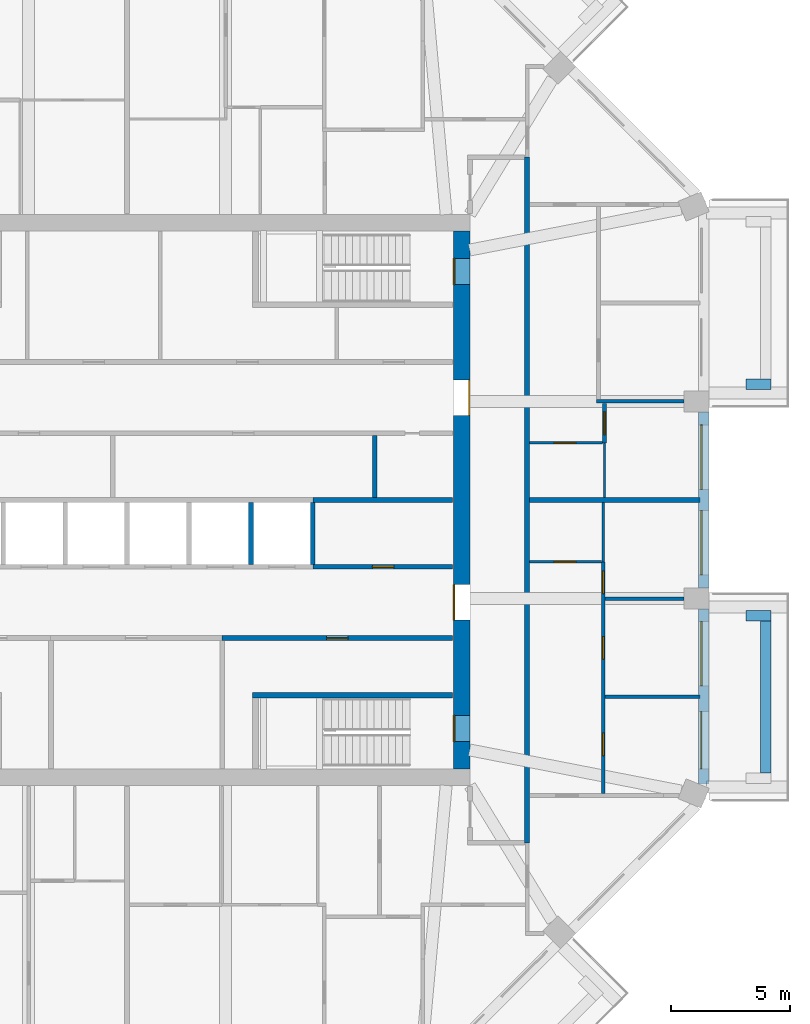
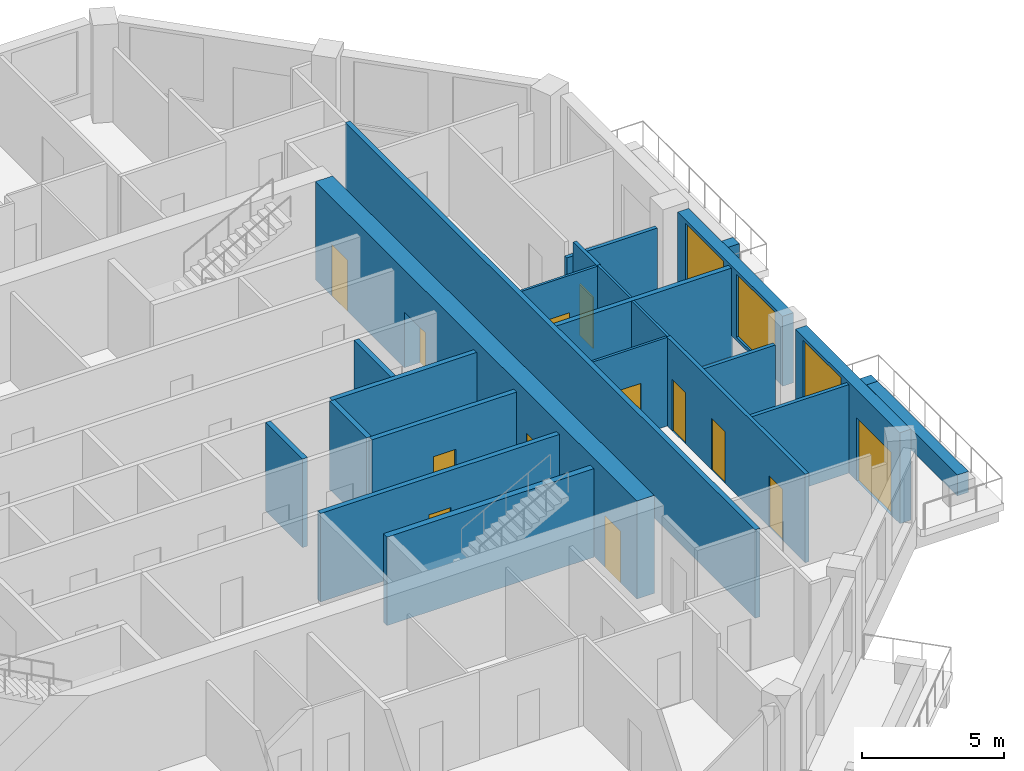
# One storey, part 6 of 12: 24 walls, 13 doors, 3 windows, 16 openings.
"""IFC4 building model written with IfcOpenShell, lengths in metres."""

import ifcopenshell
import ifcopenshell.guid

model = None  # the IFC model being written
_history = None  # IfcOwnerHistory: only IFC2X3 demands one
_inside = {}  # id of a spatial element -> (the spatial element, [elements in it])
_under = {}  # id of a project, library or spatial element -> (it, [spatial elements below it])
_declared = {}  # id of a project -> (the project, [libraries it declares])
_typed = {}  # id of a type object -> (the type object, [elements of that type])
_made_of = {}  # id of a material, layer set ... -> (it, [elements and type objects made of it])


def new_model(schema):
    """Start an empty IFC model of exactly this schema.

    Asked for "IFC4X3", IfcOpenShell would pick the latest addendum, in which some entities
    have other attributes; the version numbers below select the first issue.
    IFC2X3 requires an IfcOwnerHistory on every rooted entity: one is made here for all.
    """
    global model, _history
    if schema == "IFC4X3":
        model = ifcopenshell.file(schema_version=(4, 3, 0, 0))
    else:
        model = ifcopenshell.file(schema=schema)
    _inside.clear()
    _under.clear()
    _declared.clear()
    _typed.clear()
    _made_of.clear()
    _history = None
    if model.schema == "IFC2X3":
        org = make("IfcOrganization", Name="unknown")
        user = make(
            "IfcPersonAndOrganization",
            ThePerson=make("IfcPerson", FamilyName="unknown"),
            TheOrganization=org,
        )
        app = make(
            "IfcApplication",
            ApplicationDeveloper=org,
            Version="unknown",
            ApplicationFullName="unknown",
            ApplicationIdentifier="unknown",
        )
        _history = make(
            "IfcOwnerHistory",
            OwningUser=user,
            OwningApplication=app,
            ChangeAction="ADDED",
            CreationDate=0,
        )
    return model


def make(cls, **values):
    """One entity of the class cls with the attributes given. An attribute that is None is left unset."""
    return model.create_entity(
        cls, **{name: value for name, value in values.items() if value is not None}
    )


def rooted(cls, **values):
    """An entity with a GlobalId (a new one), such as an element, a storey or a relation."""
    return make(cls, GlobalId=ifcopenshell.guid.new(), OwnerHistory=_history, **values)


def si_unit(unit_type, name, prefix=None):
    """IfcSIUnit, for example si_unit("LENGTHUNIT", "METRE", prefix="MILLI")."""
    return make("IfcSIUnit", UnitType=unit_type, Prefix=prefix, Name=name)


def assignment(units):
    """IfcUnitAssignment: the units of a project."""
    return None if units is None else make("IfcUnitAssignment", Units=units)


def point(xyz):
    """IfcCartesianPoint."""
    return None if xyz is None else make("IfcCartesianPoint", Coordinates=xyz)


def direction(xyz):
    """IfcDirection."""
    return None if xyz is None else make("IfcDirection", DirectionRatios=xyz)


def frame(location, z_axis=None, x_axis=None):
    """IfcAxis2Placement3D, a coordinate frame: its origin and axes. An axis left out is left unset."""
    return make(
        "IfcAxis2Placement3D",
        Location=point(location),
        Axis=direction(z_axis),
        RefDirection=direction(x_axis),
    )


def frame_2d(location, x_axis=None):
    """IfcAxis2Placement2D, a coordinate frame in the plane: its origin and x axis."""
    return make(
        "IfcAxis2Placement2D", Location=point(location), RefDirection=direction(x_axis)
    )


def origin():
    """The frame at (0, 0, 0) with its axes left unset."""
    return frame((0.0, 0.0, 0.0))


def place(relative_to, where):
    """IfcLocalPlacement: puts the frame where relative to a parent placement (None: the world)."""
    return make(
        "IfcLocalPlacement", PlacementRelTo=relative_to, RelativePlacement=where
    )


def context(
    kind, dimensions, precision=None, world=None, true_north=None, identifier=None
):
    """IfcGeometricRepresentationContext, for example the 3D "Model" context."""
    return make(
        "IfcGeometricRepresentationContext",
        ContextIdentifier=identifier,
        ContextType=kind,
        CoordinateSpaceDimension=dimensions,
        Precision=precision,
        WorldCoordinateSystem=world,
        TrueNorth=true_north,
    )


def subcontext(parent, identifier, kind, view, scale=None):
    """IfcGeometricRepresentationSubContext, for example "Body" below "Model"."""
    return make(
        "IfcGeometricRepresentationSubContext",
        ContextIdentifier=identifier,
        ContextType=kind,
        ParentContext=parent,
        TargetScale=scale,
        TargetView=view,
    )


def project(units=None, contexts=None):
    """IfcProject with its units and contexts."""
    return rooted(
        "IfcProject",
        Name="project",
        RepresentationContexts=contexts,
        UnitsInContext=assignment(units),
    )


def spatial(cls, under=None, at=None, **own):
    """A site, building, storey or space (cls), placed at a placement, below another one or the project."""
    s = rooted(cls, ObjectPlacement=at, **own)
    if under is not None:
        _under.setdefault(under.id(), (under, []))[1].append(s)
    return s


def profile(cls, at=None, kind="AREA", **sizes):
    """A parametric profile (cls). Its sizes go by their IFC names, for example OverallWidth=200.0."""
    return make(cls, ProfileType=kind, Position=at, **sizes)


def rectangle(**sizes):
    """IfcRectangleProfileDef."""
    return profile("IfcRectangleProfileDef", **sizes)


def extrude(swept, where, along, depth):
    """IfcExtrudedAreaSolid: the profile swept, set in the frame where, extruded along a direction by depth."""
    return make(
        "IfcExtrudedAreaSolid",
        SweptArea=swept,
        Position=where,
        ExtrudedDirection=direction(along),
        Depth=depth,
    )


def shape(context_of_items, identifier, shape_type, items):
    """IfcShapeRepresentation: the items that make up one representation, for example the "Body"."""
    return make(
        "IfcShapeRepresentation",
        ContextOfItems=context_of_items,
        RepresentationIdentifier=identifier,
        RepresentationType=shape_type,
        Items=items,
    )


def material(Name=None, Category=None):
    """IfcMaterial."""
    return make("IfcMaterial", Name=Name, Category=Category)


def layer(
    of_material, thickness, ventilated=None, Name=None, Category=None, Priority=None
):
    """IfcMaterialLayer: one layer of a wall or slab, of a material (None: an air gap)."""
    return make(
        "IfcMaterialLayer",
        Material=of_material,
        LayerThickness=thickness,
        IsVentilated=ventilated,
        Name=Name,
        Category=Category,
        Priority=Priority,
    )


def layer_set(layers, Name=None):
    """IfcMaterialLayerSet."""
    return make("IfcMaterialLayerSet", MaterialLayers=layers, LayerSetName=Name)


def made_of(thing, what):
    """Note that an element or type object is made of a material, layer set ...; save() writes the relation."""
    if what is not None:
        _made_of.setdefault(what.id(), (what, []))[1].append(thing)
    return thing


def type_object(cls, material=None, **own):
    """A type object (cls), such as IfcWallType, which elements share."""
    return made_of(rooted(cls, **own), material)


def element(
    cls,
    number,
    at=None,
    inside=None,
    cuts=None,
    type_object=None,
    material=None,
    context=None,
    identifier="Body",
    shape_type=None,
    held_by="IfcProductDefinitionShape",
    body=None,
    shapes=None,
    **own,
):
    """One element of the class cls, such as IfcWall. Its Tag is "e" and its number.

    at: its placement. inside: the storey or other place that contains it. cuts: it is an
    opening in that element (IfcRelVoidsElement). A single representation is given by context,
    identifier, shape_type and body (its items); several are given by shapes. held_by: the class
    of the entity that holds the representations. save() writes the other relations.
    """
    e = rooted(cls, Tag="e%d" % number, ObjectPlacement=at, **own)
    if body is not None:
        shapes = [shape(context, identifier, shape_type, body)]
    if shapes is not None:
        e.Representation = make(held_by, Representations=shapes)
    if inside is not None:
        _inside.setdefault(inside.id(), (inside, []))[1].append(e)
    if cuts is not None:
        rooted(
            "IfcRelVoidsElement", RelatingBuildingElement=cuts, RelatedOpeningElement=e
        )
    if type_object is not None:
        _typed.setdefault(type_object.id(), (type_object, []))[1].append(e)
    return made_of(e, material)


def fill(opening, filler):
    """IfcRelFillsElement: the door or window that sits in an opening."""
    return rooted(
        "IfcRelFillsElement",
        RelatingOpeningElement=opening,
        RelatedBuildingElement=filler,
    )


def aggregate(whole, parts):
    """IfcRelAggregates: a whole, such as a stair, and the parts it consists of."""
    return rooted("IfcRelAggregates", RelatingObject=whole, RelatedObjects=parts)


def save(model, path):
    """Write the relations noted so far, then the file.

    IfcRelAggregates (storeys below a building ...), IfcRelContainedInSpatialStructure (elements
    in a storey), IfcRelDefinesByType, IfcRelAssociatesMaterial and IfcRelDeclares: one each for
    every whole, place, type object, material and project.
    """
    for whole, parts in _under.values():
        aggregate(whole, parts)
    for where, things in _inside.values():
        rooted(
            "IfcRelContainedInSpatialStructure",
            RelatedElements=things,
            RelatingStructure=where,
        )
    for kind, things in _typed.values():
        rooted("IfcRelDefinesByType", RelatedObjects=things, RelatingType=kind)
    for what, things in _made_of.values():
        rooted("IfcRelAssociatesMaterial", RelatedObjects=things, RelatingMaterial=what)
    for by, libraries in _declared.values():
        rooted("IfcRelDeclares", RelatingContext=by, RelatedDefinitions=libraries)
    model.write(path)


model = new_model("IFC4")

# Units and contexts
model_context = context("Model", 3, precision=1e-05, world=origin(), true_north=direction((0.0, 1.0)))
body_context = subcontext(model_context, "Body", "Model", "MODEL_VIEW")
ifc_project = project(units=[si_unit("LENGTHUNIT", "METRE"), si_unit("AREAUNIT", "SQUARE_METRE"), si_unit("VOLUMEUNIT", "CUBIC_METRE"), si_unit("PLANEANGLEUNIT", "RADIAN"), si_unit("MASSUNIT", "GRAM", prefix="KILO")], contexts=[model_context])

# Site, building, storey
site_placement = place(None, origin())
site = spatial("IfcSite", under=ifc_project, at=site_placement, CompositionType="ELEMENT")
building_placement = place(site_placement, origin())
building = spatial("IfcBuilding", under=site, at=building_placement, Name="Msitu Wima Residences", CompositionType="ELEMENT")
storey_placement = place(building_placement, frame((0.0, 0.0, 204.300048828125)))
storey = spatial("IfcBuildingStorey", under=building, at=storey_placement, Name="L47", CompositionType="ELEMENT", Elevation=204.300048828125)

# Walls
ifc_material_1 = material(Name="Facing brick")
ifc_layer_1 = layer(ifc_material_1, 0.06494140625, Name="Facing brick")
ifc_material_2 = material(Name="Concrete C40/50", Category="concrete")
ifc_layer_2 = layer(ifc_material_2, 0.156005859375, Name="Concrete C40/50")
ifc_material_3 = material(Name="Waterproofing membrane")
ifc_layer_3 = layer(ifc_material_3, 0.00390625, Name="Waterproofing membrane")
ifc_material_4 = material(Name="Planting soil and planting")
ifc_layer_4 = layer(ifc_material_4, 0.22509765625, Name="Planting soil and planting")
ifc_layer_set_1 = layer_set([ifc_layer_1, ifc_layer_2, ifc_layer_3, ifc_layer_4], Name="Concrete C40/50")
wall_type_1 = type_object("IfcWallType", Name="Balcony planter PLANTER PL450", PredefinedType="USERDEFINED", material=ifc_layer_set_1)
wall_1_placement = place(storey_placement, frame((26.824951171875, -11.461669921875, 0.0), z_axis=(0.0, 0.0, 1.0), x_axis=(0.0, 1.0, 0.0)))
element("IfcWall", 1, at=wall_1_placement, inside=storey, type_object=wall_type_1, Name="Balcony planter E0 L47", ObjectType="PLANTER", PredefinedType="USERDEFINED", context=body_context, shape_type="SweptSolid", body=[
    extrude(rectangle(XDim=6.37451171875, YDim=0.449951171875, at=frame_2d((3.187255859375, 0.0))), origin(), (0.0, 0.0, 1.0), 0.89990234375),
])
for number, where, z_axis, x_axis, name in (
    (2, (26.0, -4.8623046875, 0.0), (0.0, 0.0, 1.0), (1.0, 0.0, 0.0), "Balcony planter E0 L47"),
    (3, (26.0, 4.8623046875, 0.0), (0.0, 0.0, 1.0), (1.0, 0.0, 0.0), "Balcony planter E2 L47"),
):
    element("IfcWall", number, at=place(storey_placement, frame(where, z_axis=z_axis, x_axis=x_axis)), inside=storey, type_object=wall_type_1, Name=name, ObjectType="PLANTER", PredefinedType="USERDEFINED", context=body_context, shape_type="SweptSolid", body=[
        extrude(rectangle(XDim=1.050048828125, YDim=0.449951171875, at=frame_2d((0.52490234375, 0.0))), origin(), (0.0, 0.0, 1.0), 0.89990234375),
    ])

# Wall, openings, door, window
ifc_material_5 = material(Name="Brick (red buff mix)", Category="masonry")
ifc_layer_5 = layer(ifc_material_5, 0.449951171875)
ifc_layer_set_2 = layer_set([ifc_layer_5], Name="Brick (red buff mix)")
wall_type_2 = type_object("IfcWallType", Name="Brick infill wall BW450", PredefinedType="SOLIDWALL", material=ifc_layer_set_2)
wall_2_placement = place(storey_placement, frame((24.22509765625, -11.9248046875, 0.0), z_axis=(0.0, 0.0, 1.0), x_axis=(0.0, 1.0, 0.0)))
wall_2 = element("IfcWall", 4, at=wall_2_placement, inside=storey, type_object=wall_type_2, Name="Brick infill wall L47 E0", PredefinedType="SOLIDWALL", context=body_context, shape_type="SweptSolid", body=[
    extrude(rectangle(XDim=7.337646484375, YDim=0.449951171875, at=frame_2d((3.6689453125, 0.0))), origin(), (0.0, 0.0, 1.0), 3.89990234375),
])
opening_1_placement = place(wall_2_placement, frame((0.63427734375, 0.0, 0.0)))
opening_1 = element("IfcOpeningElement", 5, at=opening_1_placement, cuts=wall_2, Name="Opening D47.001", PredefinedType="OPENING", context=body_context, shape_type="SweptSolid", body=[
    extrude(rectangle(XDim=2.39990234375, YDim=2.699951171875, at=frame_2d((1.199951171875, 1.35009765625))), frame((0.0, 0.23486328125, 0.0), z_axis=(0.0, -1.0, 0.0), x_axis=(1.0, 0.0, 0.0)), (0.0, 0.0, 1.0), 0.469970703125),
])
opening_2_placement = place(wall_2_placement, frame((4.11865234375, 0.0, 1.050048828125)))
opening_2 = element("IfcOpeningElement", 6, at=opening_2_placement, cuts=wall_2, Name="Opening W47.001", PredefinedType="OPENING", context=body_context, shape_type="SweptSolid", body=[
    extrude(rectangle(XDim=2.699951171875, YDim=2.699951171875, at=frame_2d((1.35009765625, 1.35009765625))), frame((0.0, 0.23486328125, 0.0), z_axis=(0.0, -1.0, 0.0), x_axis=(1.0, 0.0, 0.0)), (0.0, 0.0, 1.0), 0.469970703125),
])
ifc_material_6 = material(Name="Anodised aluminium, bronze finish, clear low-emissivity double glazing", Category="aluminium")
door_type_1 = type_object("IfcDoorType", Name="Balcony door D2400x2700", OperationType="SLIDING_TO_LEFT", PredefinedType="DOOR", material=ifc_material_6)
door_1_placement = place(opening_1_placement, origin())
door_1 = element("IfcDoor", 7, at=door_1_placement, inside=storey, type_object=door_type_1, Name="Balcony door L47 E0", OperationType="SINGLE_SWING_LEFT", OverallHeight=2.699951171875, OverallWidth=2.39990234375, PredefinedType="DOOR", context=body_context, shape_type="SweptSolid", body=[
    extrude(rectangle(XDim=2.39990234375, YDim=2.699951171875, at=frame_2d((1.199951171875, 1.35009765625))), frame((0.0, 0.1298828125, 0.0), z_axis=(0.0, -1.0, 0.0), x_axis=(1.0, 0.0, 0.0)), (0.0, 0.0, 1.0), 0.050048828125),
])
fill(opening_1, door_1)
window_type = type_object("IfcWindowType", Name="Window W2700x2700", PartitioningType="DOUBLE_PANEL_VERTICAL", PredefinedType="WINDOW", material=ifc_material_6)
window_1_placement = place(opening_2_placement, origin())
window_1 = element("IfcWindow", 8, at=window_1_placement, inside=storey, type_object=window_type, Name="Window L47 E0.2", OverallHeight=2.699951171875, OverallWidth=2.699951171875, PartitioningType="SINGLE_PANEL", PredefinedType="WINDOW", context=body_context, shape_type="SweptSolid", body=[
    extrude(rectangle(XDim=2.699951171875, YDim=2.699951171875, at=frame_2d((1.35009765625, 1.35009765625))), frame((0.0, 0.135009765625, 0.0), z_axis=(0.0, -1.0, 0.0), x_axis=(1.0, 0.0, 0.0)), (0.0, 0.0, 1.0), 0.06005859375),
])
fill(opening_2, window_1)

# Wall, openings, windows
wall_3_placement = place(storey_placement, frame((24.22509765625, -3.687255859375, 0.89990234375), z_axis=(0.0, 0.0, 1.0), x_axis=(0.0, 1.0, 0.0)))
wall_3 = element("IfcWall", 9, at=wall_3_placement, inside=storey, type_object=wall_type_2, Name="Brick infill wall L47 E1", PredefinedType="SOLIDWALL", context=body_context, shape_type="SweptSolid", body=[
    extrude(rectangle(XDim=7.37451171875, YDim=0.449951171875, at=frame_2d((3.687255859375, 0.0))), origin(), (0.0, 0.0, 1.0), 3.0),
])
opening_3_placement = place(wall_3_placement, frame((0.537353515625, 0.0, 0.14990234375)))
opening_3 = element("IfcOpeningElement", 10, at=opening_3_placement, cuts=wall_3, Name="Opening W47.002", PredefinedType="OPENING", context=body_context, shape_type="SweptSolid", body=[
    extrude(rectangle(XDim=2.699951171875, YDim=2.699951171875, at=frame_2d((1.35009765625, 1.35009765625))), frame((0.0, 0.23486328125, 0.0), z_axis=(0.0, -1.0, 0.0), x_axis=(1.0, 0.0, 0.0)), (0.0, 0.0, 1.0), 0.469970703125),
])
opening_4_placement = place(wall_3_placement, frame((4.13720703125, 0.0, 0.14990234375)))
opening_4 = element("IfcOpeningElement", 11, at=opening_4_placement, cuts=wall_3, Name="Opening W47.003", PredefinedType="OPENING", context=body_context, shape_type="SweptSolid", body=[
    extrude(rectangle(XDim=2.699951171875, YDim=2.699951171875, at=frame_2d((1.35009765625, 1.35009765625))), frame((0.0, 0.23486328125, 0.0), z_axis=(0.0, -1.0, 0.0), x_axis=(1.0, 0.0, 0.0)), (0.0, 0.0, 1.0), 0.469970703125),
])
window_2_placement = place(opening_3_placement, origin())
window_2 = element("IfcWindow", 12, at=window_2_placement, inside=storey, type_object=window_type, Name="Window L47 E1.1", OverallHeight=2.699951171875, OverallWidth=2.699951171875, PartitioningType="SINGLE_PANEL", PredefinedType="WINDOW", context=body_context, shape_type="SweptSolid", body=[
    extrude(rectangle(XDim=2.699951171875, YDim=2.699951171875, at=frame_2d((1.35009765625, 1.35009765625))), frame((0.0, 0.135009765625, 0.0), z_axis=(0.0, -1.0, 0.0), x_axis=(1.0, 0.0, 0.0)), (0.0, 0.0, 1.0), 0.06005859375),
])
fill(opening_3, window_2)
window_3_placement = place(opening_4_placement, origin())
window_3 = element("IfcWindow", 13, at=window_3_placement, inside=storey, type_object=window_type, Name="Window L47 E1.2", OverallHeight=2.699951171875, OverallWidth=2.699951171875, PartitioningType="SINGLE_PANEL", PredefinedType="WINDOW", context=body_context, shape_type="SweptSolid", body=[
    extrude(rectangle(XDim=2.699951171875, YDim=2.699951171875, at=frame_2d((1.35009765625, 1.35009765625))), frame((0.0, 0.135009765625, 0.0), z_axis=(0.0, -1.0, 0.0), x_axis=(1.0, 0.0, 0.0)), (0.0, 0.0, 1.0), 0.06005859375),
])
fill(opening_4, window_3)

# Wall, openings, doors
ifc_material_7 = material(Name="Concrete C60/75", Category="concrete")
ifc_layer_6 = layer(ifc_material_7, 0.699951171875)
ifc_layer_set_3 = layer_set([ifc_layer_6], Name="Concrete C60/75")
wall_type_3 = type_object("IfcWallType", Name="Core wall CW700 C60/75", PredefinedType="SHEAR", material=ifc_layer_set_3)
wall_4_placement = place(storey_placement, frame((14.050048828125, -11.300048828125, 0.0), z_axis=(0.0, 0.0, 1.0), x_axis=(0.0, 1.0, 0.0)))
wall_4 = element("IfcWall", 14, at=wall_4_placement, inside=storey, type_object=wall_type_3, Name="Core wall", PredefinedType="SHEAR", context=body_context, shape_type="SweptSolid", body=[
    extrude(rectangle(XDim=22.60009765625, YDim=0.699951171875, at=frame_2d((11.300048828125, 0.0))), origin(), (0.0, 0.0, 1.0), 4.199951171875),
])
opening_5_placement = place(wall_4_placement, frame((20.35009765625, 0.0, 0.0)))
opening_5 = element("IfcOpeningElement", 15, at=opening_5_placement, cuts=wall_4, Name="Opening D47.081", PredefinedType="OPENING", context=body_context, shape_type="SweptSolid", body=[
    extrude(rectangle(XDim=1.10009765625, YDim=2.199951171875, at=frame_2d((0.550048828125, 1.10009765625))), frame((0.0, 0.35986328125, 0.0), z_axis=(0.0, -1.0, 0.0), x_axis=(1.0, 0.0, 0.0)), (0.0, 0.0, 1.0), 0.719970703125),
])
opening_6_placement = place(wall_4_placement, frame((1.14990234375, 0.0, 0.0)))
opening_6 = element("IfcOpeningElement", 16, at=opening_6_placement, cuts=wall_4, Name="Opening D47.082", PredefinedType="OPENING", context=body_context, shape_type="SweptSolid", body=[
    extrude(rectangle(XDim=1.10009765625, YDim=2.199951171875, at=frame_2d((0.550048828125, 1.10009765625))), frame((0.0, 0.35986328125, 0.0), z_axis=(0.0, -1.0, 0.0), x_axis=(1.0, 0.0, 0.0)), (0.0, 0.0, 1.0), 0.719970703125),
])
opening_7_placement = place(wall_4_placement, frame((14.85009765625, 0.0, 0.0)))
opening_7 = element("IfcOpeningElement", 17, at=opening_7_placement, cuts=wall_4, Name="Opening D47.071", PredefinedType="OPENING", context=body_context, shape_type="SweptSolid", body=[
    extrude(rectangle(XDim=1.5, YDim=2.39990234375, at=frame_2d((0.75, 1.199951171875))), frame((0.0, 0.35986328125, 0.0), z_axis=(0.0, -1.0, 0.0), x_axis=(1.0, 0.0, 0.0)), (0.0, 0.0, 1.0), 0.719970703125),
])
opening_8_placement = place(wall_4_placement, frame((6.25, 0.0, 0.0)))
opening_8 = element("IfcOpeningElement", 18, at=opening_8_placement, cuts=wall_4, Name="Opening D47.072", PredefinedType="OPENING", context=body_context, shape_type="SweptSolid", body=[
    extrude(rectangle(XDim=1.5, YDim=2.39990234375, at=frame_2d((0.75, 1.199951171875))), frame((0.0, 0.35986328125, 0.0), z_axis=(0.0, -1.0, 0.0), x_axis=(1.0, 0.0, 0.0)), (0.0, 0.0, 1.0), 0.719970703125),
])
ifc_material_8 = material(Name="Steel framed glazed door, fire resisting", Category="steel")
door_type_2 = type_object("IfcDoorType", Name="Lobby door D07 1500x2400", OperationType="DOUBLE_DOOR_SINGLE_SWING", PredefinedType="DOOR", material=ifc_material_8)
door_2_placement = place(opening_7_placement, origin())
door_2 = element("IfcDoor", 19, at=door_2_placement, inside=storey, type_object=door_type_2, Name="Lobby door", OperationType="DOUBLE_DOOR_SINGLE_SWING", OverallHeight=2.39990234375, OverallWidth=1.5, PredefinedType="DOOR", context=body_context, shape_type="SweptSolid", body=[
    extrude(rectangle(XDim=1.5, YDim=2.39990234375, at=frame_2d((0.75, 1.199951171875))), frame((0.0, -0.294921875, 0.0), z_axis=(0.0, -1.0, 0.0), x_axis=(1.0, 0.0, 0.0)), (0.0, 0.0, 1.0), 0.050048828125),
])
fill(opening_7, door_2)
door_3_placement = place(opening_8_placement, origin())
door_3 = element("IfcDoor", 20, at=door_3_placement, inside=storey, type_object=door_type_2, Name="Lobby door", OperationType="DOUBLE_DOOR_SINGLE_SWING", OverallHeight=2.39990234375, OverallWidth=1.5, PredefinedType="DOOR", context=body_context, shape_type="SweptSolid", body=[
    extrude(rectangle(XDim=1.5, YDim=2.39990234375, at=frame_2d((0.75, 1.199951171875))), frame((0.0, 0.34521484375, 0.0), z_axis=(0.0, -1.0, 0.0), x_axis=(1.0, 0.0, 0.0)), (0.0, 0.0, 1.0), 0.050048828125),
])
fill(opening_8, door_3)
ifc_material_9 = material(Name="Steel door, fire resisting, panic bar", Category="steel")
door_type_3 = type_object("IfcDoorType", Name="Stair door D06 1100x2200", OperationType="SINGLE_SWING_LEFT", PredefinedType="DOOR", material=ifc_material_9)
door_4_placement = place(opening_5_placement, origin())
door_4 = element("IfcDoor", 21, at=door_4_placement, inside=storey, type_object=door_type_3, Name="Stair door", OperationType="SINGLE_SWING_LEFT", OverallHeight=2.199951171875, OverallWidth=1.10009765625, PredefinedType="DOOR", context=body_context, shape_type="SweptSolid", body=[
    extrude(rectangle(XDim=1.10009765625, YDim=2.199951171875, at=frame_2d((0.550048828125, 1.10009765625))), frame((0.0, 0.34521484375, 0.0), z_axis=(0.0, -1.0, 0.0), x_axis=(1.0, 0.0, 0.0)), (0.0, 0.0, 1.0), 0.050048828125),
])
fill(opening_5, door_4)
door_5_placement = place(opening_6_placement, origin())
door_5 = element("IfcDoor", 22, at=door_5_placement, inside=storey, type_object=door_type_3, Name="Stair door", OperationType="SINGLE_SWING_RIGHT", OverallHeight=2.199951171875, OverallWidth=1.10009765625, PredefinedType="DOOR", context=body_context, shape_type="SweptSolid", body=[
    extrude(rectangle(XDim=1.10009765625, YDim=2.199951171875, at=frame_2d((0.550048828125, 1.10009765625))), frame((0.0, 0.34521484375, 0.0), z_axis=(0.0, -1.0, 0.0), x_axis=(1.0, 0.0, 0.0)), (0.0, 0.0, 1.0), 0.050048828125),
])
fill(opening_6, door_5)

# Wall, opening, door
ifc_material_10 = material(Name="Plaster")
ifc_layer_7 = layer(ifc_material_10, 0.011962890625, Name="Plaster")
ifc_material_11 = material(Name="Concrete blockwork", Category="masonry")
ifc_layer_8 = layer(ifc_material_11, 0.176025390625, Name="Concrete blockwork")
ifc_layer_9 = layer(ifc_material_10, 0.011962890625, Name="Plaster")
ifc_layer_set_4 = layer_set([ifc_layer_7, ifc_layer_8, ifc_layer_9], Name="Concrete blockwork")
wall_type_4 = type_object("IfcWallType", Name="Corridor wall FW200", PredefinedType="PARTITIONING", material=ifc_layer_set_4)
wall_5_placement = place(storey_placement, frame((3.97998046875, -5.800048828125, 0.0), z_axis=(0.0, 0.0, 1.0), x_axis=(1.0, 0.0, 0.0)))
wall_5 = element("IfcWall", 23, at=wall_5_placement, inside=storey, type_object=wall_type_4, Name="Corridor wall", PredefinedType="PARTITIONING", context=body_context, shape_type="SweptSolid", body=[
    extrude(rectangle(XDim=9.68994140625, YDim=0.199951171875, at=frame_2d((4.844970703125, 0.0))), origin(), (0.0, 0.0, 1.0), 3.7978515625),
])
opening_9_placement = place(wall_5_placement, frame((4.39990234375, 0.0, 0.0)))
opening_9 = element("IfcOpeningElement", 24, at=opening_9_placement, cuts=wall_5, Name="Opening D47.070", PredefinedType="OPENING", context=body_context, shape_type="SweptSolid", body=[
    extrude(rectangle(XDim=0.89990234375, YDim=2.199951171875, at=frame_2d((0.449951171875, 1.10009765625))), frame((0.0, 0.10986328125, 0.0), z_axis=(0.0, -1.0, 0.0), x_axis=(1.0, 0.0, 0.0)), (0.0, 0.0, 1.0), 0.219970703125),
])
ifc_material_12 = material(Name="Timber flush door", Category="wood")
door_type_4 = type_object("IfcDoorType", Name="Service door D05 900x2200", OperationType="SINGLE_SWING_LEFT", PredefinedType="DOOR", material=ifc_material_12)
door_6_placement = place(opening_9_placement, origin())
door_6 = element("IfcDoor", 25, at=door_6_placement, inside=storey, type_object=door_type_4, Name="Service door", OperationType="SINGLE_SWING_LEFT", OverallHeight=2.199951171875, OverallWidth=0.89990234375, PredefinedType="DOOR", context=body_context, shape_type="SweptSolid", body=[
    extrude(rectangle(XDim=0.89990234375, YDim=2.199951171875, at=frame_2d((0.449951171875, 1.10009765625))), frame((0.0, 0.02490234375, 0.0), z_axis=(0.0, -1.0, 0.0), x_axis=(1.0, 0.0, 0.0)), (0.0, 0.0, 1.0), 0.050048828125),
])
fill(opening_9, door_6)

# Walls
wall_6_placement = place(storey_placement, frame((16.800048828125, -14.39990234375, 0.0), z_axis=(0.0, 0.0, 1.0), x_axis=(0.0, 1.0, 0.0)))
element("IfcWall", 26, at=wall_6_placement, inside=storey, type_object=wall_type_4, Name="Corridor wall", PredefinedType="PARTITIONING", context=body_context, shape_type="SweptSolid", body=[
    extrude(rectangle(XDim=28.7998046875, YDim=0.199951171875, at=frame_2d((14.39990234375, 0.0))), origin(), (0.0, 0.0, 1.0), 3.7978515625),
])
ifc_layer_10 = layer(ifc_material_10, 0.011962890625, Name="Plaster")
ifc_layer_11 = layer(ifc_material_11, 0.1259765625, Name="Concrete blockwork")
ifc_layer_12 = layer(ifc_material_10, 0.011962890625, Name="Plaster")
ifc_layer_set_5 = layer_set([ifc_layer_10, ifc_layer_11, ifc_layer_12], Name="Concrete blockwork")
wall_type_5 = type_object("IfcWallType", Name="Partition PW150", PredefinedType="PARTITIONING", material=ifc_layer_set_5)
wall_7_placement = place(storey_placement, frame((19.72509765625, 4.139892578125, 0.0), z_axis=(0.0, 0.0, 1.0), x_axis=(1.0, 0.0, 0.0)))
element("IfcWall", 27, at=wall_7_placement, inside=storey, type_object=wall_type_5, Name="Partition", PredefinedType="PARTITIONING", context=body_context, shape_type="SweptSolid", body=[
    extrude(rectangle(XDim=3.6748046875, YDim=0.14990234375, at=frame_2d((1.83740234375, 0.0))), origin(), (0.0, 0.0, 1.0), 3.199951171875),
])

# Wall, openings, doors
wall_8_placement = place(storey_placement, frame((20.0, -12.336669921875, 0.0), z_axis=(0.0, 0.0, 1.0), x_axis=(0.0, 1.0, 0.0)))
wall_8 = element("IfcWall", 28, at=wall_8_placement, inside=storey, type_object=wall_type_5, Name="Partition", PredefinedType="PARTITIONING", context=body_context, shape_type="SweptSolid", body=[
    extrude(rectangle(XDim=9.736572265625, YDim=0.14990234375, at=frame_2d((4.8681640625, 0.0))), origin(), (0.0, 0.0, 1.0), 3.7978515625),
])
opening_10_placement = place(wall_8_placement, frame((8.39990234375, 0.0, 0.0)))
opening_10 = element("IfcOpeningElement", 29, at=opening_10_placement, cuts=wall_8, Name="Opening D47.056", PredefinedType="OPENING", context=body_context, shape_type="SweptSolid", body=[
    extrude(rectangle(XDim=0.949951171875, YDim=2.199951171875, at=frame_2d((0.47509765625, 1.10009765625))), frame((0.0, 0.0849609375, 0.0), z_axis=(0.0, -1.0, 0.0), x_axis=(1.0, 0.0, 0.0)), (0.0, 0.0, 1.0), 0.169921875),
])
opening_11_placement = place(wall_8_placement, frame((5.64990234375, 0.0, 0.0)))
opening_11 = element("IfcOpeningElement", 30, at=opening_11_placement, cuts=wall_8, Name="Opening D47.057", PredefinedType="OPENING", context=body_context, shape_type="SweptSolid", body=[
    extrude(rectangle(XDim=0.949951171875, YDim=2.199951171875, at=frame_2d((0.47509765625, 1.10009765625))), frame((0.0, 0.0849609375, 0.0), z_axis=(0.0, -1.0, 0.0), x_axis=(1.0, 0.0, 0.0)), (0.0, 0.0, 1.0), 0.169921875),
])
opening_12_placement = place(wall_8_placement, frame((1.60009765625, 0.0, 0.0)))
opening_12 = element("IfcOpeningElement", 31, at=opening_12_placement, cuts=wall_8, Name="Opening D47.058", PredefinedType="OPENING", context=body_context, shape_type="SweptSolid", body=[
    extrude(rectangle(XDim=0.949951171875, YDim=2.199951171875, at=frame_2d((0.47509765625, 1.10009765625))), frame((0.0, 0.0849609375, 0.0), z_axis=(0.0, -1.0, 0.0), x_axis=(1.0, 0.0, 0.0)), (0.0, 0.0, 1.0), 0.169921875),
])
door_type_5 = type_object("IfcDoorType", Name="Room door D12 950x2200", OperationType="SINGLE_SWING_LEFT", PredefinedType="DOOR", material=ifc_material_12)
door_7_placement = place(opening_10_placement, origin())
door_7 = element("IfcDoor", 32, at=door_7_placement, inside=storey, type_object=door_type_5, Name="Room door", OperationType="SINGLE_SWING_RIGHT", OverallHeight=2.199951171875, OverallWidth=0.949951171875, PredefinedType="DOOR", context=body_context, shape_type="SweptSolid", body=[
    extrude(rectangle(XDim=0.949951171875, YDim=2.199951171875, at=frame_2d((0.47509765625, 1.10009765625))), frame((0.0, 0.02490234375, 0.0), z_axis=(0.0, -1.0, 0.0), x_axis=(1.0, 0.0, 0.0)), (0.0, 0.0, 1.0), 0.050048828125),
])
fill(opening_10, door_7)
door_8_placement = place(opening_11_placement, origin())
door_8 = element("IfcDoor", 33, at=door_8_placement, inside=storey, type_object=door_type_5, Name="Room door", OperationType="SINGLE_SWING_RIGHT", OverallHeight=2.199951171875, OverallWidth=0.949951171875, PredefinedType="DOOR", context=body_context, shape_type="SweptSolid", body=[
    extrude(rectangle(XDim=0.949951171875, YDim=2.199951171875, at=frame_2d((0.47509765625, 1.10009765625))), frame((0.0, 0.02490234375, 0.0), z_axis=(0.0, -1.0, 0.0), x_axis=(1.0, 0.0, 0.0)), (0.0, 0.0, 1.0), 0.050048828125),
])
fill(opening_11, door_8)
door_9_placement = place(opening_12_placement, origin())
door_9 = element("IfcDoor", 34, at=door_9_placement, inside=storey, type_object=door_type_5, Name="Room door", OperationType="SINGLE_SWING_LEFT", OverallHeight=2.199951171875, OverallWidth=0.949951171875, PredefinedType="DOOR", context=body_context, shape_type="SweptSolid", body=[
    extrude(rectangle(XDim=0.949951171875, YDim=2.199951171875, at=frame_2d((0.47509765625, 1.10009765625))), frame((0.0, 0.02490234375, 0.0), z_axis=(0.0, -1.0, 0.0), x_axis=(1.0, 0.0, 0.0)), (0.0, 0.0, 1.0), 0.050048828125),
])
fill(opening_12, door_9)

# Walls
wall_9_placement = place(storey_placement, frame((20.074951171875, -8.27001953125, 0.0), z_axis=(0.0, 0.0, 1.0), x_axis=(1.0, 0.0, 0.0)))
element("IfcWall", 35, at=wall_9_placement, inside=storey, type_object=wall_type_5, Name="Partition", PredefinedType="PARTITIONING", context=body_context, shape_type="SweptSolid", body=[
    extrude(rectangle(XDim=3.97998046875, YDim=0.14990234375, at=frame_2d((1.989990234375, 0.0))), origin(), (0.0, 0.0, 1.0), 3.7978515625),
])
wall_10_placement = place(storey_placement, frame((20.074951171875, -4.139892578125, 0.0), z_axis=(0.0, 0.0, 1.0), x_axis=(1.0, 0.0, 0.0)))
element("IfcWall", 36, at=wall_10_placement, inside=storey, type_object=wall_type_5, Name="Partition", PredefinedType="PARTITIONING", context=body_context, shape_type="SweptSolid", body=[
    extrude(rectangle(XDim=3.324951171875, YDim=0.14990234375, at=frame_2d((1.66259765625, 0.0))), origin(), (0.0, 0.0, 1.0), 3.199951171875),
])

# Wall, opening, door
wall_11_placement = place(storey_placement, frame((20.050048828125, 2.39990234375, 0.0), z_axis=(0.0, 0.0, 1.0), x_axis=(0.0, 1.0, 0.0)))
wall_11 = element("IfcWall", 37, at=wall_11_placement, inside=storey, type_object=wall_type_5, Name="Partition", PredefinedType="PARTITIONING", context=body_context, shape_type="SweptSolid", body=[
    extrude(rectangle(XDim=1.662353515625, YDim=0.14990234375, at=frame_2d((0.8310546875, 0.0))), origin(), (0.0, 0.0, 1.0), 3.7978515625),
])
opening_13_placement = place(wall_11_placement, frame((0.35009765625, 0.0, 0.0)))
opening_13 = element("IfcOpeningElement", 38, at=opening_13_placement, cuts=wall_11, Name="Opening D47.021", PredefinedType="OPENING", context=body_context, shape_type="SweptSolid", body=[
    extrude(rectangle(XDim=0.949951171875, YDim=2.199951171875, at=frame_2d((0.47509765625, 1.10009765625))), frame((0.0, 0.0849609375, 0.0), z_axis=(0.0, -1.0, 0.0), x_axis=(1.0, 0.0, 0.0)), (0.0, 0.0, 1.0), 0.169921875),
])
door_10_placement = place(opening_13_placement, origin())
door_10 = element("IfcDoor", 39, at=door_10_placement, inside=storey, type_object=door_type_5, Name="Room door", OperationType="SINGLE_SWING_LEFT", OverallHeight=2.199951171875, OverallWidth=0.949951171875, PredefinedType="DOOR", context=body_context, shape_type="SweptSolid", body=[
    extrude(rectangle(XDim=0.949951171875, YDim=2.199951171875, at=frame_2d((0.47509765625, 1.10009765625))), frame((0.0, 0.02490234375, 0.0), z_axis=(0.0, -1.0, 0.0), x_axis=(1.0, 0.0, 0.0)), (0.0, 0.0, 1.0), 0.050048828125),
])
fill(opening_13, door_10)

# Wall
ifc_layer_13 = layer(ifc_material_10, 0.011962890625, Name="Plaster")
ifc_material_13 = material(Name="Dense concrete blockwork", Category="masonry")
ifc_layer_14 = layer(ifc_material_13, 0.176025390625, Name="Dense concrete blockwork")
ifc_layer_15 = layer(ifc_material_10, 0.011962890625, Name="Plaster")
ifc_layer_set_6 = layer_set([ifc_layer_13, ifc_layer_14, ifc_layer_15], Name="Dense concrete blockwork")
wall_type_6 = type_object("IfcWallType", Name="Party wall PW200", PredefinedType="PARTITIONING", material=ifc_layer_set_6)
wall_12_placement = place(storey_placement, frame((16.89990234375, 0.0, 0.0), z_axis=(0.0, 0.0, 1.0), x_axis=(1.0, 0.0, 0.0)))
element("IfcWall", 40, at=wall_12_placement, inside=storey, type_object=wall_type_6, Name="Party wall", PredefinedType="PARTITIONING", context=body_context, shape_type="SweptSolid", body=[
    extrude(rectangle(XDim=7.155029296875, YDim=0.199951171875, at=frame_2d((3.57763671875, 0.0))), origin(), (0.0, 0.0, 1.0), 3.7978515625),
])

# Wall, opening, door
ifc_layer_16 = layer(ifc_material_10, 0.011962890625, Name="Plaster")
ifc_material_14 = material(Name="Reinforced concrete blockwork", Category="masonry")
ifc_layer_17 = layer(ifc_material_14, 0.176025390625, Name="Reinforced concrete blockwork")
ifc_layer_18 = layer(ifc_material_10, 0.011962890625, Name="Plaster")
ifc_layer_set_7 = layer_set([ifc_layer_16, ifc_layer_17, ifc_layer_18], Name="Reinforced concrete blockwork")
wall_type_7 = type_object("IfcWallType", Name="Plant and riser wall PL200", PredefinedType="PARTITIONING", material=ifc_layer_set_7)
wall_13_placement = place(storey_placement, frame((7.800048828125, -2.800048828125, 0.0), z_axis=(0.0, 0.0, 1.0), x_axis=(1.0, 0.0, 0.0)))
wall_13 = element("IfcWall", 41, at=wall_13_placement, inside=storey, type_object=wall_type_7, Name="Plant and riser wall", PredefinedType="PARTITIONING", context=body_context, shape_type="SweptSolid", body=[
    extrude(rectangle(XDim=5.869873046875, YDim=0.199951171875, at=frame_2d((2.93505859375, 0.0))), origin(), (0.0, 0.0, 1.0), 3.7978515625),
])
opening_14_placement = place(wall_13_placement, frame((2.5, 0.0, 0.0)))
opening_14 = element("IfcOpeningElement", 42, at=opening_14_placement, cuts=wall_13, Name="Opening D47.059", PredefinedType="OPENING", context=body_context, shape_type="SweptSolid", body=[
    extrude(rectangle(XDim=0.89990234375, YDim=2.199951171875, at=frame_2d((0.449951171875, 1.10009765625))), frame((0.0, 0.10986328125, 0.0), z_axis=(0.0, -1.0, 0.0), x_axis=(1.0, 0.0, 0.0)), (0.0, 0.0, 1.0), 0.219970703125),
])
door_11_placement = place(opening_14_placement, origin())
door_11 = element("IfcDoor", 43, at=door_11_placement, inside=storey, type_object=door_type_4, Name="Service door", OperationType="SINGLE_SWING_LEFT", OverallHeight=2.199951171875, OverallWidth=0.89990234375, PredefinedType="DOOR", context=body_context, shape_type="SweptSolid", body=[
    extrude(rectangle(XDim=0.89990234375, YDim=2.199951171875, at=frame_2d((0.449951171875, 1.10009765625))), frame((0.0, 0.02490234375, 0.0), z_axis=(0.0, -1.0, 0.0), x_axis=(1.0, 0.0, 0.0)), (0.0, 0.0, 1.0), 0.050048828125),
])
fill(opening_14, door_11)

# Walls
wall_14_placement = place(storey_placement, frame((7.800048828125, 0.0, 0.0), z_axis=(0.0, 0.0, 1.0), x_axis=(1.0, 0.0, 0.0)))
element("IfcWall", 44, at=wall_14_placement, inside=storey, type_object=wall_type_7, Name="Plant and riser wall", PredefinedType="PARTITIONING", context=body_context, shape_type="SweptSolid", body=[
    extrude(rectangle(XDim=5.869873046875, YDim=0.199951171875, at=frame_2d((2.93505859375, 0.0))), origin(), (0.0, 0.0, 1.0), 3.7978515625),
])
wall_15_placement = place(storey_placement, frame((10.39990234375, 0.10009765625, 0.0), z_axis=(0.0, 0.0, 1.0), x_axis=(0.0, 1.0, 0.0)))
element("IfcWall", 45, at=wall_15_placement, inside=storey, type_object=wall_type_7, Name="Plant and riser wall", PredefinedType="PARTITIONING", context=body_context, shape_type="SweptSolid", body=[
    extrude(rectangle(XDim=2.599853515625, YDim=0.199951171875, at=frame_2d((1.2998046875, 0.0))), origin(), (0.0, 0.0, 1.0), 3.7978515625),
])
ifc_material_15 = material(Name="Fire-rated board")
ifc_layer_19 = layer(ifc_material_15, 0.02490234375, Name="Fire-rated board")
ifc_material_16 = material(Name="Light-gauge stud framing with mineral wool")
ifc_layer_20 = layer(ifc_material_16, 0.14990234375, Name="Light-gauge stud framing with mineral wool")
ifc_layer_21 = layer(ifc_material_15, 0.02490234375, Name="Fire-rated board")
ifc_layer_set_8 = layer_set([ifc_layer_19, ifc_layer_20, ifc_layer_21], Name="Light-gauge stud framing with mineral wool")
wall_type_8 = type_object("IfcWallType", Name="Shaft wall SH200", PredefinedType="PARTITIONING", material=ifc_layer_set_8)
for number, where, z_axis, x_axis, name in (
    (46, (5.199951171875, -2.699951171875, 0.0), (0.0, 0.0, 1.0), (0.0, 1.0, 0.0), "Shaft wall"),
    (47, (7.800048828125, -2.699951171875, 0.0), (0.0, 0.0, 1.0), (0.0, 1.0, 0.0), "Shaft wall"),
):
    element("IfcWall", number, at=place(storey_placement, frame(where, z_axis=z_axis, x_axis=x_axis)), inside=storey, type_object=wall_type_8, Name=name, PredefinedType="PARTITIONING", context=body_context, shape_type="SweptSolid", body=[
        extrude(rectangle(XDim=2.599853515625, YDim=0.199951171875, at=frame_2d((1.2998046875, 0.0))), origin(), (0.0, 0.0, 1.0), 3.7978515625),
    ])
ifc_material_17 = material(Name="Concrete C50/60", Category="concrete")
ifc_layer_22 = layer(ifc_material_17, 0.25)
ifc_layer_set_9 = layer_set([ifc_layer_22], Name="Concrete C50/60")
wall_type_9 = type_object("IfcWallType", Name="Stair enclosure wall SW250", PredefinedType="SHEAR", material=ifc_layer_set_9)
wall_16_placement = place(storey_placement, frame((5.27490234375, -8.199951171875, 0.0), z_axis=(0.0, 0.0, 1.0), x_axis=(1.0, 0.0, 0.0)))
element("IfcWall", 48, at=wall_16_placement, inside=storey, type_object=wall_type_9, Name="Stair enclosure wall", PredefinedType="SHEAR", context=body_context, shape_type="SweptSolid", body=[
    extrude(rectangle(XDim=8.39501953125, YDim=0.25, at=frame_2d((4.197509765625, 0.0))), origin(), (0.0, 0.0, 1.0), 3.7978515625),
])

# Wall, opening, door
ifc_material_18 = material(Name="Ceramic tiles")
ifc_layer_23 = layer(ifc_material_18, 0.008056640625, Name="Ceramic tiles")
ifc_material_19 = material(Name="Moisture-resistant board")
ifc_layer_24 = layer(ifc_material_19, 0.012451171875, Name="Moisture-resistant board")
ifc_layer_25 = layer(ifc_material_16, 0.06689453125, Name="Light-gauge stud framing with mineral wool")
ifc_layer_26 = layer(ifc_material_19, 0.012451171875, Name="Moisture-resistant board")
ifc_layer_set_10 = layer_set([ifc_layer_23, ifc_layer_24, ifc_layer_25, ifc_layer_26], Name="Light-gauge stud framing with mineral wool")
wall_type_10 = type_object("IfcWallType", Name="Wet wall PW100", PredefinedType="PARTITIONING", material=ifc_layer_set_10)
wall_17_placement = place(storey_placement, frame((16.89990234375, -2.60009765625, 0.0), z_axis=(0.0, 0.0, 1.0), x_axis=(1.0, 0.0, 0.0)))
wall_17 = element("IfcWall", 49, at=wall_17_placement, inside=storey, type_object=wall_type_10, Name="Wet wall", PredefinedType="PARTITIONING", context=body_context, shape_type="SweptSolid", body=[
    extrude(rectangle(XDim=3.025146484375, YDim=0.10009765625, at=frame_2d((1.5126953125, 0.0))), origin(), (0.0, 0.0, 1.0), 3.7978515625),
])
opening_15_placement = place(wall_17_placement, frame((1.050048828125, 0.0, 0.0)))
opening_15 = element("IfcOpeningElement", 50, at=opening_15_placement, cuts=wall_17, Name="Opening D47.050", PredefinedType="OPENING", context=body_context, shape_type="SweptSolid", body=[
    extrude(rectangle(XDim=0.89990234375, YDim=2.199951171875, at=frame_2d((0.449951171875, 1.10009765625))), frame((0.0, 0.06005859375, 0.0), z_axis=(0.0, -1.0, 0.0), x_axis=(1.0, 0.0, 0.0)), (0.0, 0.0, 1.0), 0.1201171875),
])
ifc_material_20 = material(Name="Timber flush door, moisture resistant", Category="wood")
door_type_6 = type_object("IfcDoorType", Name="Bathroom door D03 900x2200", OperationType="SINGLE_SWING_LEFT", PredefinedType="DOOR", material=ifc_material_20)
door_12_placement = place(opening_15_placement, origin())
door_12 = element("IfcDoor", 51, at=door_12_placement, inside=storey, type_object=door_type_6, Name="Bathroom door", OperationType="SINGLE_SWING_LEFT", OverallHeight=2.199951171875, OverallWidth=0.89990234375, PredefinedType="DOOR", context=body_context, shape_type="SweptSolid", body=[
    extrude(rectangle(XDim=0.89990234375, YDim=2.199951171875, at=frame_2d((0.449951171875, 1.10009765625))), frame((0.0, 0.02490234375, 0.0), z_axis=(0.0, -1.0, 0.0), x_axis=(1.0, 0.0, 0.0)), (0.0, 0.0, 1.0), 0.050048828125),
])
fill(opening_15, door_12)

wall_18_placement = place(storey_placement, frame((16.89990234375, 2.39990234375, 0.0), z_axis=(0.0, 0.0, 1.0), x_axis=(1.0, 0.0, 0.0)))
wall_18 = element("IfcWall", 52, at=wall_18_placement, inside=storey, type_object=wall_type_10, Name="Wet wall", PredefinedType="PARTITIONING", context=body_context, shape_type="SweptSolid", body=[
    extrude(rectangle(XDim=3.0751953125, YDim=0.10009765625, at=frame_2d((1.53759765625, 0.0))), origin(), (0.0, 0.0, 1.0), 3.7978515625),
])
opening_16_placement = place(wall_18_placement, frame((1.050048828125, 0.0, 0.0)))
opening_16 = element("IfcOpeningElement", 53, at=opening_16_placement, cuts=wall_18, Name="Opening D47.015", PredefinedType="OPENING", context=body_context, shape_type="SweptSolid", body=[
    extrude(rectangle(XDim=0.89990234375, YDim=2.199951171875, at=frame_2d((0.449951171875, 1.10009765625))), frame((0.0, 0.06005859375, 0.0), z_axis=(0.0, -1.0, 0.0), x_axis=(1.0, 0.0, 0.0)), (0.0, 0.0, 1.0), 0.1201171875),
])
door_13_placement = place(opening_16_placement, origin())
door_13 = element("IfcDoor", 54, at=door_13_placement, inside=storey, type_object=door_type_6, Name="Bathroom door", OperationType="SINGLE_SWING_RIGHT", OverallHeight=2.199951171875, OverallWidth=0.89990234375, PredefinedType="DOOR", context=body_context, shape_type="SweptSolid", body=[
    extrude(rectangle(XDim=0.89990234375, YDim=2.199951171875, at=frame_2d((0.449951171875, 1.10009765625))), frame((0.0, 0.02490234375, 0.0), z_axis=(0.0, -1.0, 0.0), x_axis=(1.0, 0.0, 0.0)), (0.0, 0.0, 1.0), 0.050048828125),
])
fill(opening_16, door_13)

# Walls
wall_19_placement = place(storey_placement, frame((20.0, -2.60009765625, 0.0), z_axis=(0.0, 0.0, 1.0), x_axis=(0.0, 1.0, 0.0)))
element("IfcWall", 55, at=wall_19_placement, inside=storey, type_object=wall_type_10, Name="Wet wall", PredefinedType="PARTITIONING", context=body_context, shape_type="SweptSolid", body=[
    extrude(rectangle(XDim=2.5, YDim=0.10009765625, at=frame_2d((1.25, 0.0))), origin(), (0.0, 0.0, 1.0), 3.7978515625),
])
wall_20_placement = place(storey_placement, frame((20.050048828125, 0.10009765625, 0.0), z_axis=(0.0, 0.0, 1.0), x_axis=(0.0, 1.0, 0.0)))
element("IfcWall", 56, at=wall_20_placement, inside=storey, type_object=wall_type_10, Name="Wet wall", PredefinedType="PARTITIONING", context=body_context, shape_type="SweptSolid", body=[
    extrude(rectangle(XDim=2.2998046875, YDim=0.10009765625, at=frame_2d((1.14990234375, 0.0))), origin(), (0.0, 0.0, 1.0), 3.7978515625),
])

save(model, "model.ifc")
